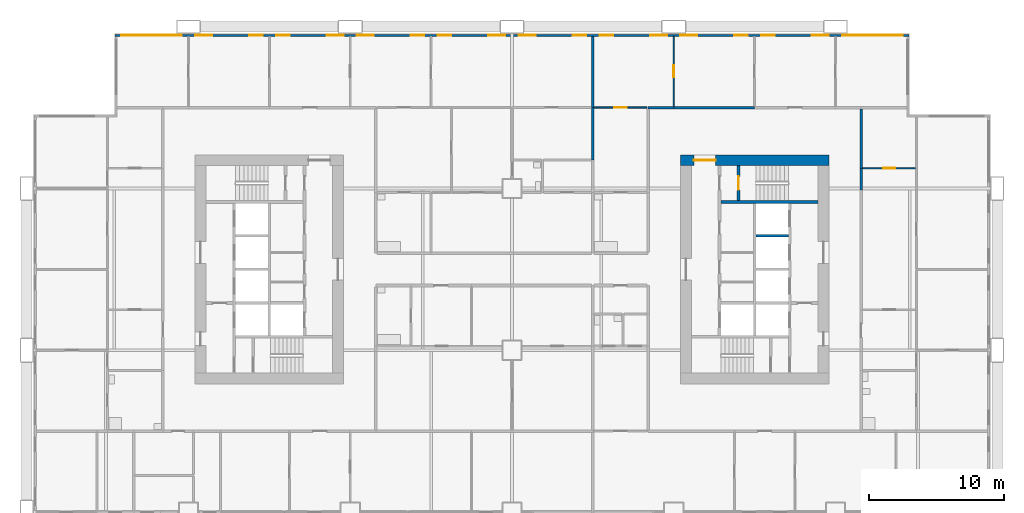
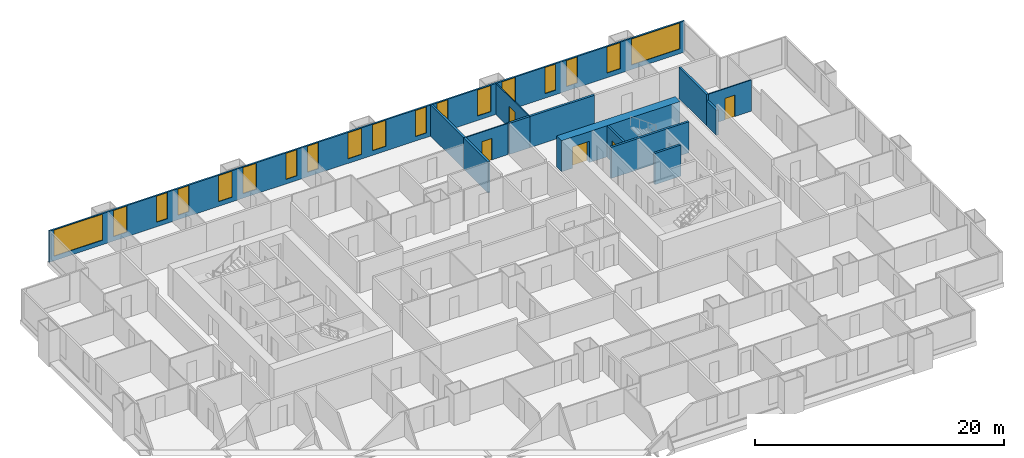
# One storey, part 10 of 14: 18 windows, 14 walls, 5 doors, 23 openings.
"""IFC4 building model written with IfcOpenShell, lengths in metres."""

import ifcopenshell
import ifcopenshell.guid

model = None  # the IFC model being written
_history = None  # IfcOwnerHistory: only IFC2X3 demands one
_inside = {}  # id of a spatial element -> (the spatial element, [elements in it])
_under = {}  # id of a project, library or spatial element -> (it, [spatial elements below it])
_declared = {}  # id of a project -> (the project, [libraries it declares])
_typed = {}  # id of a type object -> (the type object, [elements of that type])
_made_of = {}  # id of a material, layer set ... -> (it, [elements and type objects made of it])


def new_model(schema):
    """Start an empty IFC model of exactly this schema.

    Asked for "IFC4X3", IfcOpenShell would pick the latest addendum, in which some entities
    have other attributes; the version numbers below select the first issue.
    IFC2X3 requires an IfcOwnerHistory on every rooted entity: one is made here for all.
    """
    global model, _history
    if schema == "IFC4X3":
        model = ifcopenshell.file(schema_version=(4, 3, 0, 0))
    else:
        model = ifcopenshell.file(schema=schema)
    _inside.clear()
    _under.clear()
    _declared.clear()
    _typed.clear()
    _made_of.clear()
    _history = None
    if model.schema == "IFC2X3":
        org = make("IfcOrganization", Name="unknown")
        user = make(
            "IfcPersonAndOrganization",
            ThePerson=make("IfcPerson", FamilyName="unknown"),
            TheOrganization=org,
        )
        app = make(
            "IfcApplication",
            ApplicationDeveloper=org,
            Version="unknown",
            ApplicationFullName="unknown",
            ApplicationIdentifier="unknown",
        )
        _history = make(
            "IfcOwnerHistory",
            OwningUser=user,
            OwningApplication=app,
            ChangeAction="ADDED",
            CreationDate=0,
        )
    return model


def make(cls, **values):
    """One entity of the class cls with the attributes given. An attribute that is None is left unset."""
    return model.create_entity(
        cls, **{name: value for name, value in values.items() if value is not None}
    )


def rooted(cls, **values):
    """An entity with a GlobalId (a new one), such as an element, a storey or a relation."""
    return make(cls, GlobalId=ifcopenshell.guid.new(), OwnerHistory=_history, **values)


def si_unit(unit_type, name, prefix=None):
    """IfcSIUnit, for example si_unit("LENGTHUNIT", "METRE", prefix="MILLI")."""
    return make("IfcSIUnit", UnitType=unit_type, Prefix=prefix, Name=name)


def assignment(units):
    """IfcUnitAssignment: the units of a project."""
    return None if units is None else make("IfcUnitAssignment", Units=units)


def point(xyz):
    """IfcCartesianPoint."""
    return None if xyz is None else make("IfcCartesianPoint", Coordinates=xyz)


def direction(xyz):
    """IfcDirection."""
    return None if xyz is None else make("IfcDirection", DirectionRatios=xyz)


def frame(location, z_axis=None, x_axis=None):
    """IfcAxis2Placement3D, a coordinate frame: its origin and axes. An axis left out is left unset."""
    return make(
        "IfcAxis2Placement3D",
        Location=point(location),
        Axis=direction(z_axis),
        RefDirection=direction(x_axis),
    )


def frame_2d(location, x_axis=None):
    """IfcAxis2Placement2D, a coordinate frame in the plane: its origin and x axis."""
    return make(
        "IfcAxis2Placement2D", Location=point(location), RefDirection=direction(x_axis)
    )


def origin():
    """The frame at (0, 0, 0) with its axes left unset."""
    return frame((0.0, 0.0, 0.0))


def place(relative_to, where):
    """IfcLocalPlacement: puts the frame where relative to a parent placement (None: the world)."""
    return make(
        "IfcLocalPlacement", PlacementRelTo=relative_to, RelativePlacement=where
    )


def context(
    kind, dimensions, precision=None, world=None, true_north=None, identifier=None
):
    """IfcGeometricRepresentationContext, for example the 3D "Model" context."""
    return make(
        "IfcGeometricRepresentationContext",
        ContextIdentifier=identifier,
        ContextType=kind,
        CoordinateSpaceDimension=dimensions,
        Precision=precision,
        WorldCoordinateSystem=world,
        TrueNorth=true_north,
    )


def subcontext(parent, identifier, kind, view, scale=None):
    """IfcGeometricRepresentationSubContext, for example "Body" below "Model"."""
    return make(
        "IfcGeometricRepresentationSubContext",
        ContextIdentifier=identifier,
        ContextType=kind,
        ParentContext=parent,
        TargetScale=scale,
        TargetView=view,
    )


def project(units=None, contexts=None):
    """IfcProject with its units and contexts."""
    return rooted(
        "IfcProject",
        Name="project",
        RepresentationContexts=contexts,
        UnitsInContext=assignment(units),
    )


def spatial(cls, under=None, at=None, **own):
    """A site, building, storey or space (cls), placed at a placement, below another one or the project."""
    s = rooted(cls, ObjectPlacement=at, **own)
    if under is not None:
        _under.setdefault(under.id(), (under, []))[1].append(s)
    return s


def profile(cls, at=None, kind="AREA", **sizes):
    """A parametric profile (cls). Its sizes go by their IFC names, for example OverallWidth=200.0."""
    return make(cls, ProfileType=kind, Position=at, **sizes)


def rectangle(**sizes):
    """IfcRectangleProfileDef."""
    return profile("IfcRectangleProfileDef", **sizes)


def extrude(swept, where, along, depth):
    """IfcExtrudedAreaSolid: the profile swept, set in the frame where, extruded along a direction by depth."""
    return make(
        "IfcExtrudedAreaSolid",
        SweptArea=swept,
        Position=where,
        ExtrudedDirection=direction(along),
        Depth=depth,
    )


def shape(context_of_items, identifier, shape_type, items):
    """IfcShapeRepresentation: the items that make up one representation, for example the "Body"."""
    return make(
        "IfcShapeRepresentation",
        ContextOfItems=context_of_items,
        RepresentationIdentifier=identifier,
        RepresentationType=shape_type,
        Items=items,
    )


def material(Name=None, Category=None):
    """IfcMaterial."""
    return make("IfcMaterial", Name=Name, Category=Category)


def layer(
    of_material, thickness, ventilated=None, Name=None, Category=None, Priority=None
):
    """IfcMaterialLayer: one layer of a wall or slab, of a material (None: an air gap)."""
    return make(
        "IfcMaterialLayer",
        Material=of_material,
        LayerThickness=thickness,
        IsVentilated=ventilated,
        Name=Name,
        Category=Category,
        Priority=Priority,
    )


def layer_set(layers, Name=None):
    """IfcMaterialLayerSet."""
    return make("IfcMaterialLayerSet", MaterialLayers=layers, LayerSetName=Name)


def made_of(thing, what):
    """Note that an element or type object is made of a material, layer set ...; save() writes the relation."""
    if what is not None:
        _made_of.setdefault(what.id(), (what, []))[1].append(thing)
    return thing


def type_object(cls, material=None, **own):
    """A type object (cls), such as IfcWallType, which elements share."""
    return made_of(rooted(cls, **own), material)


def element(
    cls,
    number,
    at=None,
    inside=None,
    cuts=None,
    type_object=None,
    material=None,
    context=None,
    identifier="Body",
    shape_type=None,
    held_by="IfcProductDefinitionShape",
    body=None,
    shapes=None,
    **own,
):
    """One element of the class cls, such as IfcWall. Its Tag is "e" and its number.

    at: its placement. inside: the storey or other place that contains it. cuts: it is an
    opening in that element (IfcRelVoidsElement). A single representation is given by context,
    identifier, shape_type and body (its items); several are given by shapes. held_by: the class
    of the entity that holds the representations. save() writes the other relations.
    """
    e = rooted(cls, Tag="e%d" % number, ObjectPlacement=at, **own)
    if body is not None:
        shapes = [shape(context, identifier, shape_type, body)]
    if shapes is not None:
        e.Representation = make(held_by, Representations=shapes)
    if inside is not None:
        _inside.setdefault(inside.id(), (inside, []))[1].append(e)
    if cuts is not None:
        rooted(
            "IfcRelVoidsElement", RelatingBuildingElement=cuts, RelatedOpeningElement=e
        )
    if type_object is not None:
        _typed.setdefault(type_object.id(), (type_object, []))[1].append(e)
    return made_of(e, material)


def fill(opening, filler):
    """IfcRelFillsElement: the door or window that sits in an opening."""
    return rooted(
        "IfcRelFillsElement",
        RelatingOpeningElement=opening,
        RelatedBuildingElement=filler,
    )


def aggregate(whole, parts):
    """IfcRelAggregates: a whole, such as a stair, and the parts it consists of."""
    return rooted("IfcRelAggregates", RelatingObject=whole, RelatedObjects=parts)


def save(model, path):
    """Write the relations noted so far, then the file.

    IfcRelAggregates (storeys below a building ...), IfcRelContainedInSpatialStructure (elements
    in a storey), IfcRelDefinesByType, IfcRelAssociatesMaterial and IfcRelDeclares: one each for
    every whole, place, type object, material and project.
    """
    for whole, parts in _under.values():
        aggregate(whole, parts)
    for where, things in _inside.values():
        rooted(
            "IfcRelContainedInSpatialStructure",
            RelatedElements=things,
            RelatingStructure=where,
        )
    for kind, things in _typed.values():
        rooted("IfcRelDefinesByType", RelatedObjects=things, RelatingType=kind)
    for what, things in _made_of.values():
        rooted("IfcRelAssociatesMaterial", RelatedObjects=things, RelatingMaterial=what)
    for by, libraries in _declared.values():
        rooted("IfcRelDeclares", RelatingContext=by, RelatedDefinitions=libraries)
    model.write(path)


model = new_model("IFC4")

# Units and contexts
model_context = context("Model", 3, precision=1e-05, world=origin(), true_north=direction((0.0, 1.0)))
body_context = subcontext(model_context, "Body", "Model", "MODEL_VIEW")
ifc_project = project(units=[si_unit("LENGTHUNIT", "METRE"), si_unit("AREAUNIT", "SQUARE_METRE"), si_unit("VOLUMEUNIT", "CUBIC_METRE"), si_unit("PLANEANGLEUNIT", "RADIAN"), si_unit("MASSUNIT", "GRAM", prefix="KILO")], contexts=[model_context])

# Site, building, storey
site_placement = place(None, origin())
site = spatial("IfcSite", under=ifc_project, at=site_placement, CompositionType="ELEMENT")
building_placement = place(site_placement, origin())
building = spatial("IfcBuilding", under=site, at=building_placement, Name="Kitamizu Gate Tower and Museum", CompositionType="ELEMENT")
storey_placement = place(building_placement, frame((0.0, 0.0, 54.14990234375)))
storey = spatial("IfcBuildingStorey", under=building, at=storey_placement, Name="L12", CompositionType="ELEMENT", Elevation=54.14990234375)

# Wall, opening, door
ifc_material_1 = material(Name="Concrete Fc60", Category="concrete")
ifc_layer_1 = layer(ifc_material_1, 0.800048828125)
ifc_layer_set_1 = layer_set([ifc_layer_1], Name="Concrete Fc60")
wall_type_1 = type_object("IfcWallType", Name="Core wall 800", PredefinedType="SHEAR", material=ifc_layer_set_1)
wall_1_placement = place(storey_placement, frame((59.5, 38.10009765625, 0.0), z_axis=(0.0, 0.0, 1.0), x_axis=(-1.0, 0.0, 0.0)))
wall_1 = element("IfcWall", 1, at=wall_1_placement, inside=storey, type_object=wall_type_1, Name="Core wall EN", PredefinedType="SHEAR", context=body_context, shape_type="SweptSolid", body=[
    extrude(rectangle(XDim=11.0, YDim=0.800048828125, at=frame_2d((5.5, 0.0))), origin(), (0.0, 0.0, 1.0), 3.050048828125),
])
opening_1_placement = place(wall_1_placement, frame((8.39990234375, 0.0, 0.0)))
opening_1 = element("IfcOpeningElement", 2, at=opening_1_placement, cuts=wall_1, Name="Opening L12-095", PredefinedType="OPENING", context=body_context, shape_type="SweptSolid", body=[
    extrude(rectangle(XDim=1.60009765625, YDim=2.10009765625, at=frame_2d((0.800048828125, 1.050048828125))), frame((0.0, 0.41015625, 0.0), z_axis=(0.0, -1.0, 0.0), x_axis=(1.0, 0.0, 0.0)), (0.0, 0.0, 1.0), 0.820068359375),
])
ifc_material_2 = material(Name="Timber door set", Category="wood")
door_type_1 = type_object("IfcDoorType", Name="Entrance door 1600", OperationType="DOUBLE_DOOR_SINGLE_SWING", PredefinedType="DOOR", material=ifc_material_2)
door_1_placement = place(opening_1_placement, origin())
door_1 = element("IfcDoor", 3, at=door_1_placement, inside=storey, type_object=door_type_1, Name="Lobby door L12-095", OperationType="DOUBLE_DOOR_SINGLE_SWING", OverallHeight=2.10009765625, OverallWidth=1.60009765625, PredefinedType="DOOR", context=body_context, shape_type="SweptSolid", body=[
    extrude(rectangle(XDim=1.60009765625, YDim=2.10009765625, at=frame_2d((0.800048828125, 1.050048828125))), frame((0.0, 0.02490234375, 0.0), z_axis=(0.0, -1.0, 0.0), x_axis=(1.0, 0.0, 0.0)), (0.0, 0.0, 1.0), 0.050048828125),
])
fill(opening_1, door_1)

ifc_material_3 = material(Name="Gypsum board on galvanised stud")
ifc_layer_2 = layer(ifc_material_3, 0.10009765625)
ifc_layer_set_2 = layer_set([ifc_layer_2], Name="Gypsum board on galvanised stud")
wall_type_2 = type_object("IfcWallType", Name="Partition 100 NOT RATED", PredefinedType="PARTITIONING", material=ifc_layer_set_2)
wall_2_placement = place(storey_placement, frame((48.0, 42.10009765625, 0.0), z_axis=(0.0, 0.0, 1.0), x_axis=(0.0, 1.0, 0.0)))
wall_2 = element("IfcWall", 4, at=wall_2_placement, inside=storey, type_object=wall_type_2, Name="Partition L12-175", PredefinedType="PARTITIONING", context=body_context, shape_type="SweptSolid", body=[
    extrude(rectangle(XDim=5.179931640625, YDim=0.10009765625, at=frame_2d((2.58984375, 0.0))), origin(), (0.0, 0.0, 1.0), 3.050048828125),
])
opening_2_placement = place(wall_2_placement, frame((2.139892578125, 0.0, 0.0)))
opening_2 = element("IfcOpeningElement", 5, at=opening_2_placement, cuts=wall_2, Name="Opening L12-066", PredefinedType="OPENING", context=body_context, shape_type="SweptSolid", body=[
    extrude(rectangle(XDim=0.89990234375, YDim=2.10009765625, at=frame_2d((0.449951171875, 1.050048828125))), frame((0.0, 0.06005859375, 0.0), z_axis=(0.0, -1.0, 0.0), x_axis=(1.0, 0.0, 0.0)), (0.0, 0.0, 1.0), 0.1201171875),
])
ifc_material_4 = material(Name="Timber door set", Category="wood")
door_type_2 = type_object("IfcDoorType", Name="Room door 900", OperationType="NOTDEFINED", PredefinedType="DOOR", material=ifc_material_4)
door_2_placement = place(opening_2_placement, origin())
door_2 = element("IfcDoor", 6, at=door_2_placement, inside=storey, type_object=door_type_2, Name="Door L12-066", OperationType="SINGLE_SWING_RIGHT", OverallHeight=2.10009765625, OverallWidth=0.89990234375, PredefinedType="DOOR", context=body_context, shape_type="SweptSolid", body=[
    extrude(rectangle(XDim=0.89990234375, YDim=2.10009765625, at=frame_2d((0.449951171875, 1.050048828125))), frame((0.0, 0.02490234375, 0.0), z_axis=(0.0, -1.0, 0.0), x_axis=(1.0, 0.0, 0.0)), (0.0, 0.0, 1.0), 0.050048828125),
])
fill(opening_2, door_2)

wall_3_placement = place(storey_placement, frame((42.10009765625, 42.0, 0.0), z_axis=(0.0, 0.0, 1.0), x_axis=(1.0, 0.0, 0.0)))
wall_3 = element("IfcWall", 7, at=wall_3_placement, inside=storey, type_object=wall_type_2, Name="Partition L12-176", PredefinedType="PARTITIONING", context=body_context, shape_type="SweptSolid", body=[
    extrude(rectangle(XDim=3.89990234375, YDim=0.10009765625, at=frame_2d((1.949951171875, 0.0))), origin(), (0.0, 0.0, 1.0), 3.050048828125),
])
opening_3_placement = place(wall_3_placement, frame((1.5, 0.0, 0.0)))
opening_3 = element("IfcOpeningElement", 8, at=opening_3_placement, cuts=wall_3, Name="Opening L12-067", PredefinedType="OPENING", context=body_context, shape_type="SweptSolid", body=[
    extrude(rectangle(XDim=0.89990234375, YDim=2.10009765625, at=frame_2d((0.449951171875, 1.050048828125))), frame((0.0, 0.06005859375, 0.0), z_axis=(0.0, -1.0, 0.0), x_axis=(1.0, 0.0, 0.0)), (0.0, 0.0, 1.0), 0.1201171875),
])
door_3_placement = place(opening_3_placement, frame((0.89990234375, 0.0, 0.0), x_axis=(-1.0, 0.0, 0.0)))
door_3 = element("IfcDoor", 9, at=door_3_placement, inside=storey, type_object=door_type_2, Name="Door L12-067", OperationType="SINGLE_SWING_RIGHT", OverallHeight=2.10009765625, OverallWidth=0.89990234375, PredefinedType="DOOR", context=body_context, shape_type="SweptSolid", body=[
    extrude(rectangle(XDim=0.89990234375, YDim=2.10009765625, at=frame_2d((0.449951171875, 1.050048828125))), frame((0.0, 0.02490234375, 0.0), z_axis=(0.0, -1.0, 0.0), x_axis=(1.0, 0.0, 0.0)), (0.0, 0.0, 1.0), 0.050048828125),
])
fill(opening_3, door_3)

wall_4_placement = place(storey_placement, frame((65.949951171875, 37.5, 0.0), z_axis=(0.0, 0.0, 1.0), x_axis=(-1.0, 0.0, 0.0)))
wall_4 = element("IfcWall", 10, at=wall_4_placement, inside=storey, type_object=wall_type_2, Name="Partition L12-203", PredefinedType="PARTITIONING", context=body_context, shape_type="SweptSolid", body=[
    extrude(rectangle(XDim=3.949951171875, YDim=0.10009765625, at=frame_2d((1.97509765625, 0.0))), origin(), (0.0, 0.0, 1.0), 3.050048828125),
])
opening_4_placement = place(wall_4_placement, frame((1.52490234375, 0.0, 0.0)))
opening_4 = element("IfcOpeningElement", 11, at=opening_4_placement, cuts=wall_4, Name="Opening L12-075", PredefinedType="OPENING", context=body_context, shape_type="SweptSolid", body=[
    extrude(rectangle(XDim=0.89990234375, YDim=2.10009765625, at=frame_2d((0.449951171875, 1.050048828125))), frame((0.0, 0.06005859375, 0.0), z_axis=(0.0, -1.0, 0.0), x_axis=(1.0, 0.0, 0.0)), (0.0, 0.0, 1.0), 0.1201171875),
])
door_4_placement = place(opening_4_placement, frame((0.89990234375, 0.0, 0.0), x_axis=(-1.0, 0.0, 0.0)))
door_4 = element("IfcDoor", 12, at=door_4_placement, inside=storey, type_object=door_type_2, Name="Door L12-075", OperationType="SINGLE_SWING_RIGHT", OverallHeight=2.10009765625, OverallWidth=0.89990234375, PredefinedType="DOOR", context=body_context, shape_type="SweptSolid", body=[
    extrude(rectangle(XDim=0.89990234375, YDim=2.10009765625, at=frame_2d((0.449951171875, 1.050048828125))), frame((0.0, 0.02490234375, 0.0), z_axis=(0.0, -1.0, 0.0), x_axis=(1.0, 0.0, 0.0)), (0.0, 0.0, 1.0), 0.050048828125),
])
fill(opening_4, door_4)

# Walls
ifc_material_5 = material(Name="Gypsum board on galvanised stud")
ifc_layer_3 = layer(ifc_material_5, 0.199951171875)
ifc_layer_set_3 = layer_set([ifc_layer_3], Name="Gypsum board on galvanised stud")
wall_type_3 = type_object("IfcWallType", Name="Partition 200", PredefinedType="PARTITIONING", material=ifc_layer_set_3)
wall_5_placement = place(storey_placement, frame((42.0, 42.0, 0.0), z_axis=(0.0, 0.0, 1.0), x_axis=(0.0, 1.0, 0.0)))
element("IfcWall", 13, at=wall_5_placement, inside=storey, type_object=wall_type_3, Name="Partition L12-132", PredefinedType="PARTITIONING", context=body_context, shape_type="SweptSolid", body=[
    extrude(rectangle(XDim=5.280029296875, YDim=0.199951171875, at=frame_2d((2.64013671875, 0.0))), origin(), (0.0, 0.0, 1.0), 3.050048828125),
])
wall_6_placement = place(storey_placement, frame((42.0, 38.10009765625, 0.0), z_axis=(0.0, 0.0, 1.0), x_axis=(0.0, 1.0, 0.0)))
element("IfcWall", 14, at=wall_6_placement, inside=storey, type_object=wall_type_3, Name="Partition L12-149", PredefinedType="PARTITIONING", context=body_context, shape_type="SweptSolid", body=[
    extrude(rectangle(XDim=3.89990234375, YDim=0.199951171875, at=frame_2d((1.949951171875, 0.0))), origin(), (0.0, 0.0, 1.0), 3.050048828125),
])
wall_7_placement = place(storey_placement, frame((46.10009765625, 42.0, 0.0), z_axis=(0.0, 0.0, 1.0), x_axis=(1.0, 0.0, 0.0)))
element("IfcWall", 15, at=wall_7_placement, inside=storey, type_object=wall_type_3, Name="Partition L12-177", PredefinedType="PARTITIONING", context=body_context, shape_type="SweptSolid", body=[
    extrude(rectangle(XDim=1.89990234375, YDim=0.199951171875, at=frame_2d((0.949951171875, 0.0))), origin(), (0.0, 0.0, 1.0), 3.050048828125),
])
wall_8_placement = place(storey_placement, frame((48.0, 42.0, 0.0), z_axis=(0.0, 0.0, 1.0), x_axis=(1.0, 0.0, 0.0)))
element("IfcWall", 16, at=wall_8_placement, inside=storey, type_object=wall_type_3, Name="Partition L12-179", PredefinedType="PARTITIONING", context=body_context, shape_type="SweptSolid", body=[
    extrude(rectangle(XDim=6.0, YDim=0.199951171875, at=frame_2d((3.0, 0.0))), origin(), (0.0, 0.0, 1.0), 3.050048828125),
])
wall_9_placement = place(storey_placement, frame((61.89990234375, 37.5, 0.0), z_axis=(0.0, 0.0, 1.0), x_axis=(0.0, -1.0, 0.0)))
element("IfcWall", 17, at=wall_9_placement, inside=storey, type_object=wall_type_3, Name="Partition L12-204", PredefinedType="PARTITIONING", context=body_context, shape_type="SweptSolid", body=[
    extrude(rectangle(XDim=1.60009765625, YDim=0.199951171875, at=frame_2d((0.800048828125, 0.0))), origin(), (0.0, 0.0, 1.0), 2.4501953125),
])
wall_10_placement = place(storey_placement, frame((61.89990234375, 41.89990234375, 0.0), z_axis=(0.0, 0.0, 1.0), x_axis=(0.0, -1.0, 0.0)))
element("IfcWall", 18, at=wall_10_placement, inside=storey, type_object=wall_type_3, Name="Partition L12-206", PredefinedType="PARTITIONING", context=body_context, shape_type="SweptSolid", body=[
    extrude(rectangle(XDim=4.39990234375, YDim=0.199951171875, at=frame_2d((2.199951171875, 0.0))), origin(), (0.0, 0.0, 1.0), 3.050048828125),
])
ifc_material_6 = material(Name="Concrete Fc42", Category="concrete")
ifc_layer_4 = layer(ifc_material_6, 0.199951171875)
ifc_layer_set_4 = layer_set([ifc_layer_4], Name="Concrete Fc42")
wall_type_4 = type_object("IfcWallType", Name="Shaft wall 200", PredefinedType="SOLIDWALL", material=ifc_layer_set_4)
wall_11_placement = place(storey_placement, frame((58.699951171875, 35.0, 0.0), z_axis=(0.0, 0.0, 1.0), x_axis=(-1.0, 0.0, 0.0)))
element("IfcWall", 19, at=wall_11_placement, inside=storey, type_object=wall_type_4, Name="Shaft wall ENB", PredefinedType="SOLIDWALL", context=body_context, shape_type="SweptSolid", body=[
    extrude(rectangle(XDim=7.199951171875, YDim=0.199951171875, at=frame_2d((3.60009765625, 0.0))), origin(), (0.0, 0.0, 1.0), 3.050048828125),
])

# Wall, opening, door
wall_12_placement = place(storey_placement, frame((52.800048828125, 35.10009765625, 0.0), z_axis=(0.0, 0.0, 1.0), x_axis=(0.0, 1.0, 0.0)))
wall_12 = element("IfcWall", 20, at=wall_12_placement, inside=storey, type_object=wall_type_4, Name="Shaft wall ENZ", PredefinedType="SOLIDWALL", context=body_context, shape_type="SweptSolid", body=[
    extrude(rectangle(XDim=2.599853515625, YDim=0.199951171875, at=frame_2d((1.2998046875, 0.0))), origin(), (0.0, 0.0, 1.0), 3.050048828125),
])
opening_5_placement = place(wall_12_placement, frame((0.800048828125, 0.0, 0.0)))
opening_5 = element("IfcOpeningElement", 21, at=opening_5_placement, cuts=wall_12, Name="Opening L12-091", PredefinedType="OPENING", context=body_context, shape_type="SweptSolid", body=[
    extrude(rectangle(XDim=1.0, YDim=2.10009765625, at=frame_2d((0.5, 1.050048828125))), frame((0.0, 0.10986328125, 0.0), z_axis=(0.0, -1.0, 0.0), x_axis=(1.0, 0.0, 0.0)), (0.0, 0.0, 1.0), 0.219970703125),
])
ifc_material_7 = material(Name="Hollow metal door set")
door_type_3 = type_object("IfcDoorType", Name="Fire door 1000", OperationType="NOTDEFINED", PredefinedType="DOOR", material=ifc_material_7)
door_5_placement = place(opening_5_placement, frame((1.0, 0.0, 0.0), x_axis=(-1.0, 0.0, 0.0)))
door_5 = element("IfcDoor", 22, at=door_5_placement, inside=storey, type_object=door_type_3, Name="Stair door L12-091", OperationType="SINGLE_SWING_LEFT", OverallHeight=2.10009765625, OverallWidth=1.0, PredefinedType="DOOR", context=body_context, shape_type="SweptSolid", body=[
    extrude(rectangle(XDim=1.0, YDim=2.10009765625, at=frame_2d((0.5, 1.050048828125))), frame((0.0, 0.02490234375, 0.0), z_axis=(0.0, -1.0, 0.0), x_axis=(1.0, 0.0, 0.0)), (0.0, 0.0, 1.0), 0.050048828125),
])
fill(opening_5, door_5)

# Wall
wall_13_placement = place(storey_placement, frame((56.5, 32.5, 0.0), z_axis=(0.0, 0.0, 1.0), x_axis=(-1.0, 0.0, 0.0)))
element("IfcWall", 23, at=wall_13_placement, inside=storey, type_object=wall_type_4, Name="Shaft wall EDVW2", PredefinedType="SOLIDWALL", context=body_context, shape_type="SweptSolid", body=[
    extrude(rectangle(XDim=2.39990234375, YDim=0.199951171875, at=frame_2d((1.199951171875, 0.0))), origin(), (0.0, 0.0, 1.0), 3.050048828125),
])

# Wall, openings, windows
ifc_material_8 = material(Name="Bronze anodised aluminium frame with insulated spandrel and tinted glass", Category="aluminium")
ifc_layer_5 = layer(ifc_material_8, 0.14990234375)
ifc_layer_set_5 = layer_set([ifc_layer_5], Name="Bronze anodised aluminium frame with insulated spandrel and tinted glass")
wall_type_5 = type_object("IfcWallType", Name="WINDOW WALL 150 BRONZE FRAME EI 30", PredefinedType="ELEMENTEDWALL", material=ifc_layer_set_5)
wall_14_placement = place(storey_placement, frame((6.56005859375, 47.364990234375, 0.0), z_axis=(0.0, 0.0, 1.0), x_axis=(1.0, 0.0, 0.0)))
wall_14 = element("IfcWall", 24, at=wall_14_placement, inside=storey, type_object=wall_type_5, Name="Window wall north L12", PredefinedType="ELEMENTEDWALL", context=body_context, shape_type="SweptSolid", body=[
    extrude(rectangle(XDim=58.8798828125, YDim=0.14990234375, at=frame_2d((29.43994140625, 0.0))), origin(), (0.0, 0.0, 1.0), 3.050048828125),
])
opening_6_placement = place(wall_14_placement, frame((0.43994140625, 0.0, 0.449951171875)))
opening_6 = element("IfcOpeningElement", 25, at=opening_6_placement, cuts=wall_14, Name="Opening W15", PredefinedType="OPENING", context=body_context, shape_type="SweptSolid", body=[
    extrude(rectangle(XDim=4.5, YDim=2.550048828125, at=frame_2d((2.25, 1.27490234375))), frame((0.0, 0.0849609375, 0.0), z_axis=(0.0, -1.0, 0.0), x_axis=(1.0, 0.0, 0.0)), (0.0, 0.0, 1.0), 0.169921875),
])
opening_7_placement = place(wall_14_placement, frame((5.93994140625, 0.0, 0.449951171875)))
opening_7 = element("IfcOpeningElement", 26, at=opening_7_placement, cuts=wall_14, Name="Opening W27", PredefinedType="OPENING", context=body_context, shape_type="SweptSolid", body=[
    extrude(rectangle(XDim=1.25, YDim=2.550048828125, at=frame_2d((0.625, 1.27490234375))), frame((0.0, 0.0849609375, 0.0), z_axis=(0.0, -1.0, 0.0), x_axis=(1.0, 0.0, 0.0)), (0.0, 0.0, 1.0), 0.169921875),
])
opening_8_placement = place(wall_14_placement, frame((9.93994140625, 0.0, 0.449951171875)))
opening_8 = element("IfcOpeningElement", 27, at=opening_8_placement, cuts=wall_14, Name="Opening W26", PredefinedType="OPENING", context=body_context, shape_type="SweptSolid", body=[
    extrude(rectangle(XDim=1.0, YDim=2.550048828125, at=frame_2d((0.5, 1.27490234375))), frame((0.0, 0.0849609375, 0.0), z_axis=(0.0, -1.0, 0.0), x_axis=(1.0, 0.0, 0.0)), (0.0, 0.0, 1.0), 0.169921875),
])
opening_9_placement = place(wall_14_placement, frame((11.93994140625, 0.0, 0.449951171875)))
opening_9 = element("IfcOpeningElement", 28, at=opening_9_placement, cuts=wall_14, Name="Opening W26", PredefinedType="OPENING", context=body_context, shape_type="SweptSolid", body=[
    extrude(rectangle(XDim=1.0, YDim=2.550048828125, at=frame_2d((0.5, 1.27490234375))), frame((0.0, 0.0849609375, 0.0), z_axis=(0.0, -1.0, 0.0), x_axis=(1.0, 0.0, 0.0)), (0.0, 0.0, 1.0), 0.169921875),
])
opening_10_placement = place(wall_14_placement, frame((15.68994140625, 0.0, 0.449951171875)))
opening_10 = element("IfcOpeningElement", 29, at=opening_10_placement, cuts=wall_14, Name="Opening W27", PredefinedType="OPENING", context=body_context, shape_type="SweptSolid", body=[
    extrude(rectangle(XDim=1.25, YDim=2.550048828125, at=frame_2d((0.625, 1.27490234375))), frame((0.0, 0.0849609375, 0.0), z_axis=(0.0, -1.0, 0.0), x_axis=(1.0, 0.0, 0.0)), (0.0, 0.0, 1.0), 0.169921875),
])
opening_11_placement = place(wall_14_placement, frame((17.93994140625, 0.0, 0.449951171875)))
opening_11 = element("IfcOpeningElement", 30, at=opening_11_placement, cuts=wall_14, Name="Opening W27", PredefinedType="OPENING", context=body_context, shape_type="SweptSolid", body=[
    extrude(rectangle(XDim=1.25, YDim=2.550048828125, at=frame_2d((0.625, 1.27490234375))), frame((0.0, 0.0849609375, 0.0), z_axis=(0.0, -1.0, 0.0), x_axis=(1.0, 0.0, 0.0)), (0.0, 0.0, 1.0), 0.169921875),
])
opening_12_placement = place(wall_14_placement, frame((21.93994140625, 0.0, 0.449951171875)))
opening_12 = element("IfcOpeningElement", 31, at=opening_12_placement, cuts=wall_14, Name="Opening W26", PredefinedType="OPENING", context=body_context, shape_type="SweptSolid", body=[
    extrude(rectangle(XDim=1.0, YDim=2.550048828125, at=frame_2d((0.5, 1.27490234375))), frame((0.0, 0.0849609375, 0.0), z_axis=(0.0, -1.0, 0.0), x_axis=(1.0, 0.0, 0.0)), (0.0, 0.0, 1.0), 0.169921875),
])
opening_13_placement = place(wall_14_placement, frame((23.93994140625, 0.0, 0.449951171875)))
opening_13 = element("IfcOpeningElement", 32, at=opening_13_placement, cuts=wall_14, Name="Opening W26", PredefinedType="OPENING", context=body_context, shape_type="SweptSolid", body=[
    extrude(rectangle(XDim=1.0, YDim=2.550048828125, at=frame_2d((0.5, 1.27490234375))), frame((0.0, 0.0849609375, 0.0), z_axis=(0.0, -1.0, 0.0), x_axis=(1.0, 0.0, 0.0)), (0.0, 0.0, 1.0), 0.169921875),
])
opening_14_placement = place(wall_14_placement, frame((27.68994140625, 0.0, 0.449951171875)))
opening_14 = element("IfcOpeningElement", 33, at=opening_14_placement, cuts=wall_14, Name="Opening W27", PredefinedType="OPENING", context=body_context, shape_type="SweptSolid", body=[
    extrude(rectangle(XDim=1.25, YDim=2.550048828125, at=frame_2d((0.625, 1.27490234375))), frame((0.0, 0.0849609375, 0.0), z_axis=(0.0, -1.0, 0.0), x_axis=(1.0, 0.0, 0.0)), (0.0, 0.0, 1.0), 0.169921875),
])
opening_15_placement = place(wall_14_placement, frame((29.93994140625, 0.0, 0.449951171875)))
opening_15 = element("IfcOpeningElement", 34, at=opening_15_placement, cuts=wall_14, Name="Opening W27", PredefinedType="OPENING", context=body_context, shape_type="SweptSolid", body=[
    extrude(rectangle(XDim=1.25, YDim=2.550048828125, at=frame_2d((0.625, 1.27490234375))), frame((0.0, 0.0849609375, 0.0), z_axis=(0.0, -1.0, 0.0), x_axis=(1.0, 0.0, 0.0)), (0.0, 0.0, 1.0), 0.169921875),
])
opening_16_placement = place(wall_14_placement, frame((33.93994140625, 0.0, 0.449951171875)))
opening_16 = element("IfcOpeningElement", 35, at=opening_16_placement, cuts=wall_14, Name="Opening W26", PredefinedType="OPENING", context=body_context, shape_type="SweptSolid", body=[
    extrude(rectangle(XDim=1.0, YDim=2.550048828125, at=frame_2d((0.5, 1.27490234375))), frame((0.0, 0.0849609375, 0.0), z_axis=(0.0, -1.0, 0.0), x_axis=(1.0, 0.0, 0.0)), (0.0, 0.0, 1.0), 0.169921875),
])
opening_17_placement = place(wall_14_placement, frame((35.93994140625, 0.0, 0.449951171875)))
opening_17 = element("IfcOpeningElement", 36, at=opening_17_placement, cuts=wall_14, Name="Opening W26", PredefinedType="OPENING", context=body_context, shape_type="SweptSolid", body=[
    extrude(rectangle(XDim=1.0, YDim=2.550048828125, at=frame_2d((0.5, 1.27490234375))), frame((0.0, 0.0849609375, 0.0), z_axis=(0.0, -1.0, 0.0), x_axis=(1.0, 0.0, 0.0)), (0.0, 0.0, 1.0), 0.169921875),
])
opening_18_placement = place(wall_14_placement, frame((39.68994140625, 0.0, 0.449951171875)))
opening_18 = element("IfcOpeningElement", 37, at=opening_18_placement, cuts=wall_14, Name="Opening W27", PredefinedType="OPENING", context=body_context, shape_type="SweptSolid", body=[
    extrude(rectangle(XDim=1.25, YDim=2.550048828125, at=frame_2d((0.625, 1.27490234375))), frame((0.0, 0.0849609375, 0.0), z_axis=(0.0, -1.0, 0.0), x_axis=(1.0, 0.0, 0.0)), (0.0, 0.0, 1.0), 0.169921875),
])
opening_19_placement = place(wall_14_placement, frame((41.93994140625, 0.0, 0.449951171875)))
opening_19 = element("IfcOpeningElement", 38, at=opening_19_placement, cuts=wall_14, Name="Opening W27", PredefinedType="OPENING", context=body_context, shape_type="SweptSolid", body=[
    extrude(rectangle(XDim=1.25, YDim=2.550048828125, at=frame_2d((0.625, 1.27490234375))), frame((0.0, 0.0849609375, 0.0), z_axis=(0.0, -1.0, 0.0), x_axis=(1.0, 0.0, 0.0)), (0.0, 0.0, 1.0), 0.169921875),
])
opening_20_placement = place(wall_14_placement, frame((45.93994140625, 0.0, 0.449951171875)))
opening_20 = element("IfcOpeningElement", 39, at=opening_20_placement, cuts=wall_14, Name="Opening W26", PredefinedType="OPENING", context=body_context, shape_type="SweptSolid", body=[
    extrude(rectangle(XDim=1.0, YDim=2.550048828125, at=frame_2d((0.5, 1.27490234375))), frame((0.0, 0.0849609375, 0.0), z_axis=(0.0, -1.0, 0.0), x_axis=(1.0, 0.0, 0.0)), (0.0, 0.0, 1.0), 0.169921875),
])
opening_21_placement = place(wall_14_placement, frame((47.93994140625, 0.0, 0.449951171875)))
opening_21 = element("IfcOpeningElement", 40, at=opening_21_placement, cuts=wall_14, Name="Opening W26", PredefinedType="OPENING", context=body_context, shape_type="SweptSolid", body=[
    extrude(rectangle(XDim=1.0, YDim=2.550048828125, at=frame_2d((0.5, 1.27490234375))), frame((0.0, 0.0849609375, 0.0), z_axis=(0.0, -1.0, 0.0), x_axis=(1.0, 0.0, 0.0)), (0.0, 0.0, 1.0), 0.169921875),
])
opening_22_placement = place(wall_14_placement, frame((51.68994140625, 0.0, 0.449951171875)))
opening_22 = element("IfcOpeningElement", 41, at=opening_22_placement, cuts=wall_14, Name="Opening W27", PredefinedType="OPENING", context=body_context, shape_type="SweptSolid", body=[
    extrude(rectangle(XDim=1.25, YDim=2.550048828125, at=frame_2d((0.625, 1.27490234375))), frame((0.0, 0.0849609375, 0.0), z_axis=(0.0, -1.0, 0.0), x_axis=(1.0, 0.0, 0.0)), (0.0, 0.0, 1.0), 0.169921875),
])
opening_23_placement = place(wall_14_placement, frame((53.93994140625, 0.0, 0.449951171875)))
opening_23 = element("IfcOpeningElement", 42, at=opening_23_placement, cuts=wall_14, Name="Opening W15", PredefinedType="OPENING", context=body_context, shape_type="SweptSolid", body=[
    extrude(rectangle(XDim=4.5, YDim=2.550048828125, at=frame_2d((2.25, 1.27490234375))), frame((0.0, 0.0849609375, 0.0), z_axis=(0.0, -1.0, 0.0), x_axis=(1.0, 0.0, 0.0)), (0.0, 0.0, 1.0), 0.169921875),
])
ifc_material_9 = material(Name="Bronze anodised aluminium frame, tinted triple glazing", Category="aluminium")
window_type_1 = type_object("IfcWindowType", Name="WINDOW 1000 x 2550 SILL 450", PartitioningType="SINGLE_PANEL", PredefinedType="WINDOW", material=ifc_material_9)
window_1_placement = place(opening_8_placement, origin())
window_1 = element("IfcWindow", 43, at=window_1_placement, inside=storey, type_object=window_type_1, Name="Window W26 L12", OverallHeight=2.550048828125, OverallWidth=1.0, PartitioningType="SINGLE_PANEL", PredefinedType="WINDOW", context=body_context, shape_type="SweptSolid", body=[
    extrude(rectangle(XDim=1.0, YDim=2.550048828125, at=frame_2d((0.5, 1.27490234375))), frame((0.0, 0.030029296875, 0.0), z_axis=(0.0, -1.0, 0.0), x_axis=(1.0, 0.0, 0.0)), (0.0, 0.0, 1.0), 0.06005859375),
])
fill(opening_8, window_1)
window_2_placement = place(opening_9_placement, origin())
window_2 = element("IfcWindow", 44, at=window_2_placement, inside=storey, type_object=window_type_1, Name="Window W26 L12", OverallHeight=2.550048828125, OverallWidth=1.0, PartitioningType="SINGLE_PANEL", PredefinedType="WINDOW", context=body_context, shape_type="SweptSolid", body=[
    extrude(rectangle(XDim=1.0, YDim=2.550048828125, at=frame_2d((0.5, 1.27490234375))), frame((0.0, 0.030029296875, 0.0), z_axis=(0.0, -1.0, 0.0), x_axis=(1.0, 0.0, 0.0)), (0.0, 0.0, 1.0), 0.06005859375),
])
fill(opening_9, window_2)
window_3_placement = place(opening_12_placement, origin())
window_3 = element("IfcWindow", 45, at=window_3_placement, inside=storey, type_object=window_type_1, Name="Window W26 L12", OverallHeight=2.550048828125, OverallWidth=1.0, PartitioningType="SINGLE_PANEL", PredefinedType="WINDOW", context=body_context, shape_type="SweptSolid", body=[
    extrude(rectangle(XDim=1.0, YDim=2.550048828125, at=frame_2d((0.5, 1.27490234375))), frame((0.0, 0.030029296875, 0.0), z_axis=(0.0, -1.0, 0.0), x_axis=(1.0, 0.0, 0.0)), (0.0, 0.0, 1.0), 0.06005859375),
])
fill(opening_12, window_3)
window_4_placement = place(opening_13_placement, origin())
window_4 = element("IfcWindow", 46, at=window_4_placement, inside=storey, type_object=window_type_1, Name="Window W26 L12", OverallHeight=2.550048828125, OverallWidth=1.0, PartitioningType="SINGLE_PANEL", PredefinedType="WINDOW", context=body_context, shape_type="SweptSolid", body=[
    extrude(rectangle(XDim=1.0, YDim=2.550048828125, at=frame_2d((0.5, 1.27490234375))), frame((0.0, 0.030029296875, 0.0), z_axis=(0.0, -1.0, 0.0), x_axis=(1.0, 0.0, 0.0)), (0.0, 0.0, 1.0), 0.06005859375),
])
fill(opening_13, window_4)
window_5_placement = place(opening_16_placement, origin())
window_5 = element("IfcWindow", 47, at=window_5_placement, inside=storey, type_object=window_type_1, Name="Window W26 L12", OverallHeight=2.550048828125, OverallWidth=1.0, PartitioningType="SINGLE_PANEL", PredefinedType="WINDOW", context=body_context, shape_type="SweptSolid", body=[
    extrude(rectangle(XDim=1.0, YDim=2.550048828125, at=frame_2d((0.5, 1.27490234375))), frame((0.0, 0.030029296875, 0.0), z_axis=(0.0, -1.0, 0.0), x_axis=(1.0, 0.0, 0.0)), (0.0, 0.0, 1.0), 0.06005859375),
])
fill(opening_16, window_5)
window_6_placement = place(opening_17_placement, origin())
window_6 = element("IfcWindow", 48, at=window_6_placement, inside=storey, type_object=window_type_1, Name="Window W26 L12", OverallHeight=2.550048828125, OverallWidth=1.0, PartitioningType="SINGLE_PANEL", PredefinedType="WINDOW", context=body_context, shape_type="SweptSolid", body=[
    extrude(rectangle(XDim=1.0, YDim=2.550048828125, at=frame_2d((0.5, 1.27490234375))), frame((0.0, 0.030029296875, 0.0), z_axis=(0.0, -1.0, 0.0), x_axis=(1.0, 0.0, 0.0)), (0.0, 0.0, 1.0), 0.06005859375),
])
fill(opening_17, window_6)
window_7_placement = place(opening_20_placement, origin())
window_7 = element("IfcWindow", 49, at=window_7_placement, inside=storey, type_object=window_type_1, Name="Window W26 L12", OverallHeight=2.550048828125, OverallWidth=1.0, PartitioningType="SINGLE_PANEL", PredefinedType="WINDOW", context=body_context, shape_type="SweptSolid", body=[
    extrude(rectangle(XDim=1.0, YDim=2.550048828125, at=frame_2d((0.5, 1.27490234375))), frame((0.0, 0.030029296875, 0.0), z_axis=(0.0, -1.0, 0.0), x_axis=(1.0, 0.0, 0.0)), (0.0, 0.0, 1.0), 0.06005859375),
])
fill(opening_20, window_7)
window_8_placement = place(opening_21_placement, origin())
window_8 = element("IfcWindow", 50, at=window_8_placement, inside=storey, type_object=window_type_1, Name="Window W26 L12", OverallHeight=2.550048828125, OverallWidth=1.0, PartitioningType="SINGLE_PANEL", PredefinedType="WINDOW", context=body_context, shape_type="SweptSolid", body=[
    extrude(rectangle(XDim=1.0, YDim=2.550048828125, at=frame_2d((0.5, 1.27490234375))), frame((0.0, 0.030029296875, 0.0), z_axis=(0.0, -1.0, 0.0), x_axis=(1.0, 0.0, 0.0)), (0.0, 0.0, 1.0), 0.06005859375),
])
fill(opening_21, window_8)
ifc_material_10 = material(Name="Bronze anodised aluminium frame, tinted triple glazing", Category="aluminium")
window_type_2 = type_object("IfcWindowType", Name="WINDOW 1250 x 2550 SILL 450", PartitioningType="SINGLE_PANEL", PredefinedType="WINDOW", material=ifc_material_10)
window_9_placement = place(opening_7_placement, origin())
window_9 = element("IfcWindow", 51, at=window_9_placement, inside=storey, type_object=window_type_2, Name="Window W27 L12", OverallHeight=2.550048828125, OverallWidth=1.25, PartitioningType="SINGLE_PANEL", PredefinedType="WINDOW", context=body_context, shape_type="SweptSolid", body=[
    extrude(rectangle(XDim=1.25, YDim=2.550048828125, at=frame_2d((0.625, 1.27490234375))), frame((0.0, 0.030029296875, 0.0), z_axis=(0.0, -1.0, 0.0), x_axis=(1.0, 0.0, 0.0)), (0.0, 0.0, 1.0), 0.06005859375),
])
fill(opening_7, window_9)
window_10_placement = place(opening_10_placement, origin())
window_10 = element("IfcWindow", 52, at=window_10_placement, inside=storey, type_object=window_type_2, Name="Window W27 L12", OverallHeight=2.550048828125, OverallWidth=1.25, PartitioningType="SINGLE_PANEL", PredefinedType="WINDOW", context=body_context, shape_type="SweptSolid", body=[
    extrude(rectangle(XDim=1.25, YDim=2.550048828125, at=frame_2d((0.625, 1.27490234375))), frame((0.0, 0.030029296875, 0.0), z_axis=(0.0, -1.0, 0.0), x_axis=(1.0, 0.0, 0.0)), (0.0, 0.0, 1.0), 0.06005859375),
])
fill(opening_10, window_10)
window_11_placement = place(opening_11_placement, origin())
window_11 = element("IfcWindow", 53, at=window_11_placement, inside=storey, type_object=window_type_2, Name="Window W27 L12", OverallHeight=2.550048828125, OverallWidth=1.25, PartitioningType="SINGLE_PANEL", PredefinedType="WINDOW", context=body_context, shape_type="SweptSolid", body=[
    extrude(rectangle(XDim=1.25, YDim=2.550048828125, at=frame_2d((0.625, 1.27490234375))), frame((0.0, 0.030029296875, 0.0), z_axis=(0.0, -1.0, 0.0), x_axis=(1.0, 0.0, 0.0)), (0.0, 0.0, 1.0), 0.06005859375),
])
fill(opening_11, window_11)
window_12_placement = place(opening_14_placement, origin())
window_12 = element("IfcWindow", 54, at=window_12_placement, inside=storey, type_object=window_type_2, Name="Window W27 L12", OverallHeight=2.550048828125, OverallWidth=1.25, PartitioningType="SINGLE_PANEL", PredefinedType="WINDOW", context=body_context, shape_type="SweptSolid", body=[
    extrude(rectangle(XDim=1.25, YDim=2.550048828125, at=frame_2d((0.625, 1.27490234375))), frame((0.0, 0.030029296875, 0.0), z_axis=(0.0, -1.0, 0.0), x_axis=(1.0, 0.0, 0.0)), (0.0, 0.0, 1.0), 0.06005859375),
])
fill(opening_14, window_12)
window_13_placement = place(opening_15_placement, origin())
window_13 = element("IfcWindow", 55, at=window_13_placement, inside=storey, type_object=window_type_2, Name="Window W27 L12", OverallHeight=2.550048828125, OverallWidth=1.25, PartitioningType="SINGLE_PANEL", PredefinedType="WINDOW", context=body_context, shape_type="SweptSolid", body=[
    extrude(rectangle(XDim=1.25, YDim=2.550048828125, at=frame_2d((0.625, 1.27490234375))), frame((0.0, 0.030029296875, 0.0), z_axis=(0.0, -1.0, 0.0), x_axis=(1.0, 0.0, 0.0)), (0.0, 0.0, 1.0), 0.06005859375),
])
fill(opening_15, window_13)
window_14_placement = place(opening_18_placement, origin())
window_14 = element("IfcWindow", 56, at=window_14_placement, inside=storey, type_object=window_type_2, Name="Window W27 L12", OverallHeight=2.550048828125, OverallWidth=1.25, PartitioningType="SINGLE_PANEL", PredefinedType="WINDOW", context=body_context, shape_type="SweptSolid", body=[
    extrude(rectangle(XDim=1.25, YDim=2.550048828125, at=frame_2d((0.625, 1.27490234375))), frame((0.0, 0.030029296875, 0.0), z_axis=(0.0, -1.0, 0.0), x_axis=(1.0, 0.0, 0.0)), (0.0, 0.0, 1.0), 0.06005859375),
])
fill(opening_18, window_14)
window_15_placement = place(opening_19_placement, origin())
window_15 = element("IfcWindow", 57, at=window_15_placement, inside=storey, type_object=window_type_2, Name="Window W27 L12", OverallHeight=2.550048828125, OverallWidth=1.25, PartitioningType="SINGLE_PANEL", PredefinedType="WINDOW", context=body_context, shape_type="SweptSolid", body=[
    extrude(rectangle(XDim=1.25, YDim=2.550048828125, at=frame_2d((0.625, 1.27490234375))), frame((0.0, 0.030029296875, 0.0), z_axis=(0.0, -1.0, 0.0), x_axis=(1.0, 0.0, 0.0)), (0.0, 0.0, 1.0), 0.06005859375),
])
fill(opening_19, window_15)
window_16_placement = place(opening_22_placement, origin())
window_16 = element("IfcWindow", 58, at=window_16_placement, inside=storey, type_object=window_type_2, Name="Window W27 L12", OverallHeight=2.550048828125, OverallWidth=1.25, PartitioningType="SINGLE_PANEL", PredefinedType="WINDOW", context=body_context, shape_type="SweptSolid", body=[
    extrude(rectangle(XDim=1.25, YDim=2.550048828125, at=frame_2d((0.625, 1.27490234375))), frame((0.0, 0.030029296875, 0.0), z_axis=(0.0, -1.0, 0.0), x_axis=(1.0, 0.0, 0.0)), (0.0, 0.0, 1.0), 0.06005859375),
])
fill(opening_22, window_16)
ifc_material_11 = material(Name="Bronze anodised aluminium frame, tinted triple glazing", Category="aluminium")
window_type_3 = type_object("IfcWindowType", Name="WINDOW 4500 x 2550 SILL 450", PartitioningType="SINGLE_PANEL", PredefinedType="WINDOW", material=ifc_material_11)
window_17_placement = place(opening_6_placement, origin())
window_17 = element("IfcWindow", 59, at=window_17_placement, inside=storey, type_object=window_type_3, Name="Window W15 L12", OverallHeight=2.550048828125, OverallWidth=4.5, PartitioningType="SINGLE_PANEL", PredefinedType="WINDOW", context=body_context, shape_type="SweptSolid", body=[
    extrude(rectangle(XDim=4.5, YDim=2.550048828125, at=frame_2d((2.25, 1.27490234375))), frame((0.0, 0.030029296875, 0.0), z_axis=(0.0, -1.0, 0.0), x_axis=(1.0, 0.0, 0.0)), (0.0, 0.0, 1.0), 0.06005859375),
])
fill(opening_6, window_17)
window_18_placement = place(opening_23_placement, origin())
window_18 = element("IfcWindow", 60, at=window_18_placement, inside=storey, type_object=window_type_3, Name="Window W15 L12", OverallHeight=2.550048828125, OverallWidth=4.5, PartitioningType="SINGLE_PANEL", PredefinedType="WINDOW", context=body_context, shape_type="SweptSolid", body=[
    extrude(rectangle(XDim=4.5, YDim=2.550048828125, at=frame_2d((2.25, 1.27490234375))), frame((0.0, 0.030029296875, 0.0), z_axis=(0.0, -1.0, 0.0), x_axis=(1.0, 0.0, 0.0)), (0.0, 0.0, 1.0), 0.06005859375),
])
fill(opening_23, window_18)

save(model, "model.ifc")
